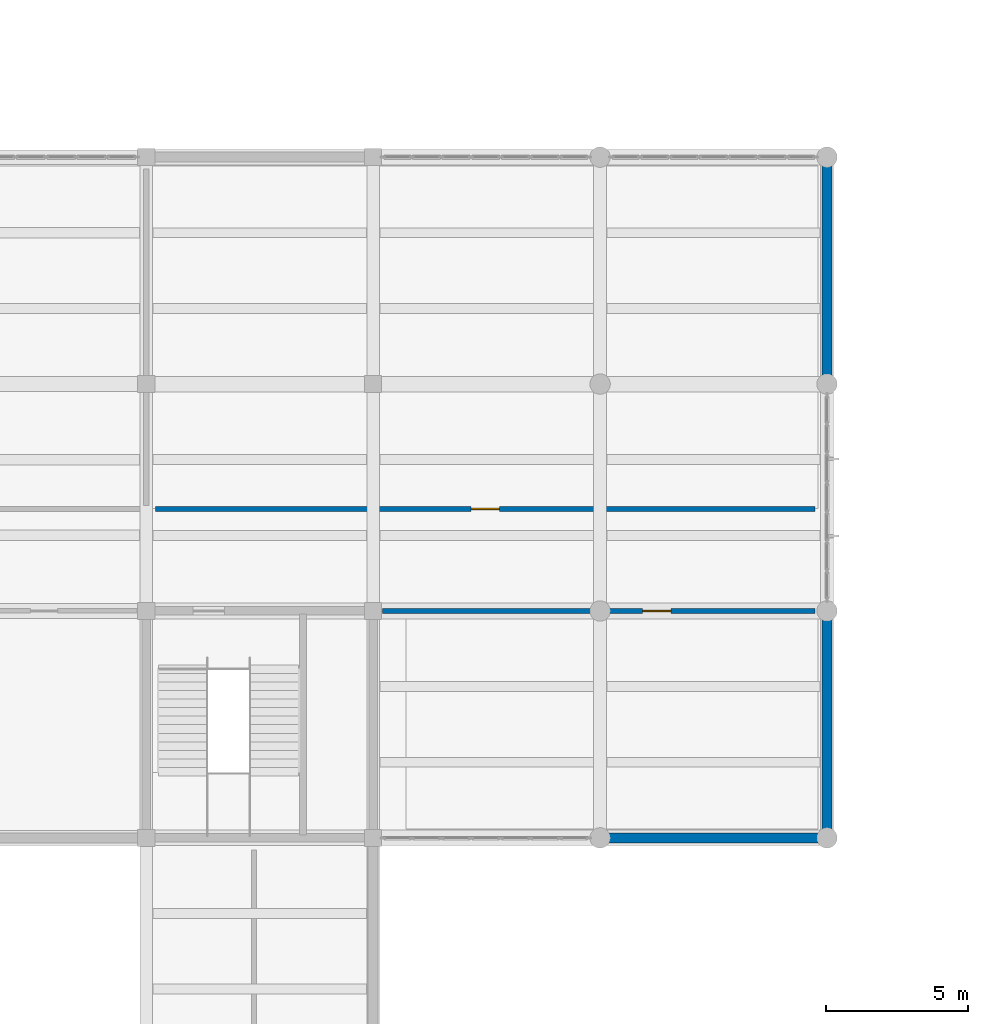
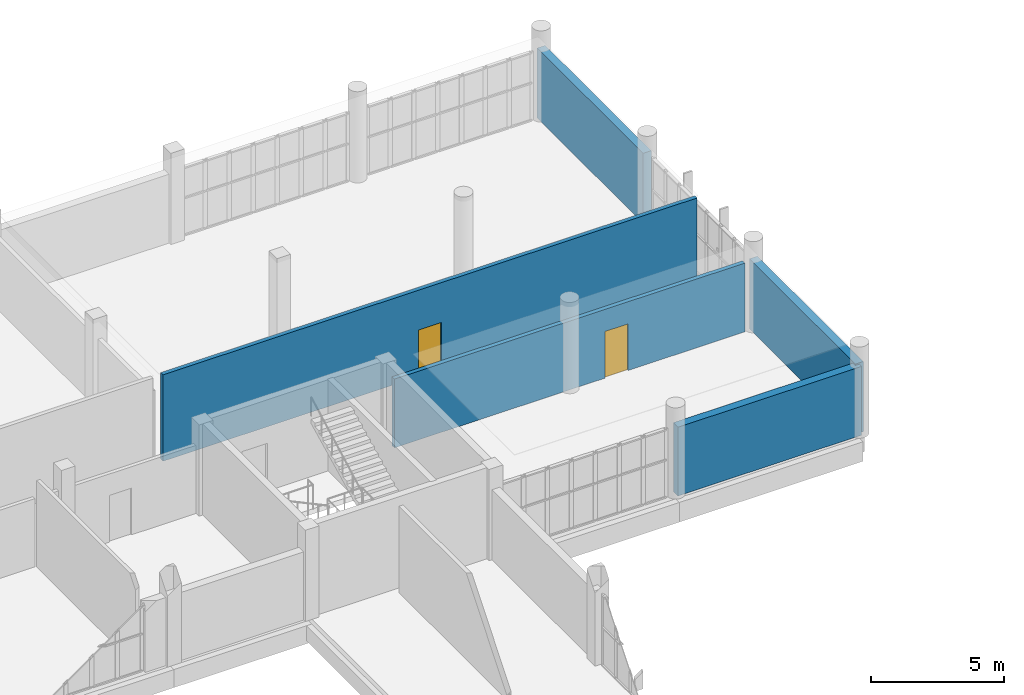
# One storey, part 67 of 85: 5 walls, 2 doors, 2 openings.
"""IFC4 building model written with IfcOpenShell, lengths in metres."""

from ifc_helpers import new_model, si_unit, direction, frame, frame_2d, origin, place, context, subcontext, project, spatial, rectangle, extrude, material, layer, layer_set, type_object, element, fill, save


model = new_model("IFC4")

# Units and contexts
model_context = context("Model", 3, precision=1e-05, world=origin(), true_north=direction((0.0, 1.0)))
body_context = subcontext(model_context, "Body", "Model", "MODEL_VIEW")
ifc_project = project(units=[si_unit("LENGTHUNIT", "METRE"), si_unit("AREAUNIT", "SQUARE_METRE"), si_unit("VOLUMEUNIT", "CUBIC_METRE"), si_unit("PLANEANGLEUNIT", "RADIAN"), si_unit("MASSUNIT", "GRAM", prefix="KILO")], contexts=[model_context])

# Site, building, storey
site_placement = place(None, origin())
site = spatial("IfcSite", under=ifc_project, at=site_placement, CompositionType="ELEMENT")
building_placement = place(site_placement, origin())
building = spatial("IfcBuilding", under=site, at=building_placement, Name="Solvane Community Centre", CompositionType="ELEMENT")
storey_placement = place(building_placement, frame((0.0, 0.0, 5.39990234375)))
storey = spatial("IfcBuildingStorey", under=building, at=storey_placement, Name="L01", CompositionType="ELEMENT", Elevation=5.39990234375)

# Walls
ifc_material_1 = material(Name="Precast concrete C35/45", Category="concrete")
ifc_layer_1 = layer(ifc_material_1, 0.35009765625)
ifc_layer_set_1 = layer_set([ifc_layer_1], Name="Precast concrete C35/45")
wall_type_1 = type_object("IfcWallType", Name="Art Deco Limestone Cavity Wall 350mm [80x32dm]", PredefinedType="SOLIDWALL", material=ifc_layer_set_1)
for number, where, z_axis, x_axis, name in (
    (1, (84.0, 110.0, 0.0), (0.0, 0.0, 1.0), (0.0, -1.0, 0.0), "Exterior Wall WL-EXT-L01-0080"),
    (2, (84.0, 94.0, 0.0), (0.0, 0.0, 1.0), (0.0, -1.0, 0.0), "Exterior Wall WL-EXT-L01-0081"),
):
    element("IfcWall", number, at=place(storey_placement, frame(where, z_axis=z_axis, x_axis=x_axis)), inside=storey, type_object=wall_type_1, Name=name, PredefinedType="SOLIDWALL", context=body_context, shape_type="SweptSolid", body=[
        extrude(rectangle(XDim=8.0, YDim=0.35009765625, at=frame_2d((4.0, 0.0))), origin(), (0.0, 0.0, 1.0), 3.22509765625),
    ])
wall_1_placement = place(storey_placement, frame((84.0, 86.0, 0.0), z_axis=(0.0, 0.0, 1.0), x_axis=(-1.0, 0.0, 0.0)))
element("IfcWall", 3, at=wall_1_placement, inside=storey, type_object=wall_type_1, Name="Exterior Wall WL-EXT-L01-0082", PredefinedType="SOLIDWALL", context=body_context, shape_type="SweptSolid", body=[
    extrude(rectangle(XDim=8.0, YDim=0.35009765625, at=frame_2d((4.0, 0.0))), origin(), (0.0, 0.0, 1.0), 3.1650390625),
])

# Wall, opening, door
ifc_material_2 = material(Name="Gypsum board partition")
ifc_layer_2 = layer(ifc_material_2, 0.179931640625)
ifc_layer_set_2 = layer_set([ifc_layer_2], Name="Gypsum board partition")
wall_type_2 = type_object("IfcWallType", Name="Protected Corridor Wall 180mm [153x32dm]", PredefinedType="PARTITIONING", material=ifc_layer_set_2)
wall_2_placement = place(storey_placement, frame((83.580078125, 94.0, 0.0), z_axis=(0.0, 0.0, 1.0), x_axis=(-1.0, 0.0, 0.0)))
wall_2 = element("IfcWall", 4, at=wall_2_placement, inside=storey, type_object=wall_type_2, Name="Interior Wall WL-INT-L01-0302", PredefinedType="PARTITIONING", context=body_context, shape_type="SweptSolid", body=[
    extrude(rectangle(XDim=15.260009765625, YDim=0.179931640625, at=frame_2d((7.6298828125, 0.0))), origin(), (0.0, 0.0, 1.0), 3.1650390625),
])
opening_1_placement = place(wall_2_placement, frame((5.0810546875, 0.0, 0.0)))
opening_1 = element("IfcOpeningElement", 5, at=opening_1_placement, cuts=wall_2, Name="Opening ID01", PredefinedType="OPENING", context=body_context, shape_type="SweptSolid", body=[
    extrude(rectangle(XDim=1.0, YDim=2.14990234375, at=frame_2d((0.5, 1.074951171875))), frame((0.0, 0.099853515625, 0.0), z_axis=(0.0, -1.0, 0.0), x_axis=(1.0, 0.0, 0.0)), (0.0, 0.0, 1.0), 0.199951171875),
])
ifc_material_3 = material(Name="Anodised bronze aluminium AW-6063 T6", Category="aluminium")
door_type = type_object("IfcDoorType", Name="Corridor Rated Classroom Door 1000x2150", OperationType="NOTDEFINED", PredefinedType="DOOR", material=ifc_material_3)
door_1_placement = place(opening_1_placement, origin())
door_1 = element("IfcDoor", 6, at=door_1_placement, inside=storey, type_object=door_type, Name="L01-D114", OperationType="SINGLE_SWING_RIGHT", OverallHeight=2.14990234375, OverallWidth=1.0, PredefinedType="DOOR", context=body_context, shape_type="SweptSolid", body=[
    extrude(rectangle(XDim=1.0, YDim=2.14990234375, at=frame_2d((0.5, 1.074951171875))), frame((0.0, 0.02490234375, 0.0), z_axis=(0.0, -1.0, 0.0), x_axis=(1.0, 0.0, 0.0)), (0.0, 0.0, 1.0), 0.050048828125),
])
fill(opening_1, door_1)

ifc_layer_3 = layer(ifc_material_2, 0.179931640625)
ifc_layer_set_3 = layer_set([ifc_layer_3], Name="Gypsum board partition")
wall_type_3 = type_object("IfcWallType", Name="Protected Corridor Wall 180mm [233x40dm]", PredefinedType="PARTITIONING", material=ifc_layer_set_3)
wall_3_placement = place(storey_placement, frame((60.320068359375, 97.60009765625, 0.0), z_axis=(0.0, 0.0, 1.0), x_axis=(1.0, 0.0, 0.0)))
wall_3 = element("IfcWall", 7, at=wall_3_placement, inside=storey, type_object=wall_type_3, Name="Interior Wall WL-INT-L01-0307", PredefinedType="PARTITIONING", context=body_context, shape_type="SweptSolid", body=[
    extrude(rectangle(XDim=23.260009765625, YDim=0.179931640625, at=frame_2d((11.6298828125, 0.0))), origin(), (0.0, 0.0, 1.0), 3.97998046875),
])
opening_2_placement = place(wall_3_placement, frame((11.1298828125, 0.0, 0.0)))
opening_2 = element("IfcOpeningElement", 8, at=opening_2_placement, cuts=wall_3, Name="Opening ID01", PredefinedType="OPENING", context=body_context, shape_type="SweptSolid", body=[
    extrude(rectangle(XDim=1.0, YDim=2.14990234375, at=frame_2d((0.5, 1.074951171875))), frame((0.0, 0.099853515625, 0.0), z_axis=(0.0, -1.0, 0.0), x_axis=(1.0, 0.0, 0.0)), (0.0, 0.0, 1.0), 0.199951171875),
])
door_2_placement = place(opening_2_placement, origin())
door_2 = element("IfcDoor", 9, at=door_2_placement, inside=storey, type_object=door_type, Name="L01-D117", OperationType="SINGLE_SWING_LEFT", OverallHeight=2.14990234375, OverallWidth=1.0, PredefinedType="DOOR", context=body_context, shape_type="SweptSolid", body=[
    extrude(rectangle(XDim=1.0, YDim=2.14990234375, at=frame_2d((0.5, 1.074951171875))), frame((0.0, 0.02490234375, 0.0), z_axis=(0.0, -1.0, 0.0), x_axis=(1.0, 0.0, 0.0)), (0.0, 0.0, 1.0), 0.050048828125),
])
fill(opening_2, door_2)

save(model, "model.ifc")
